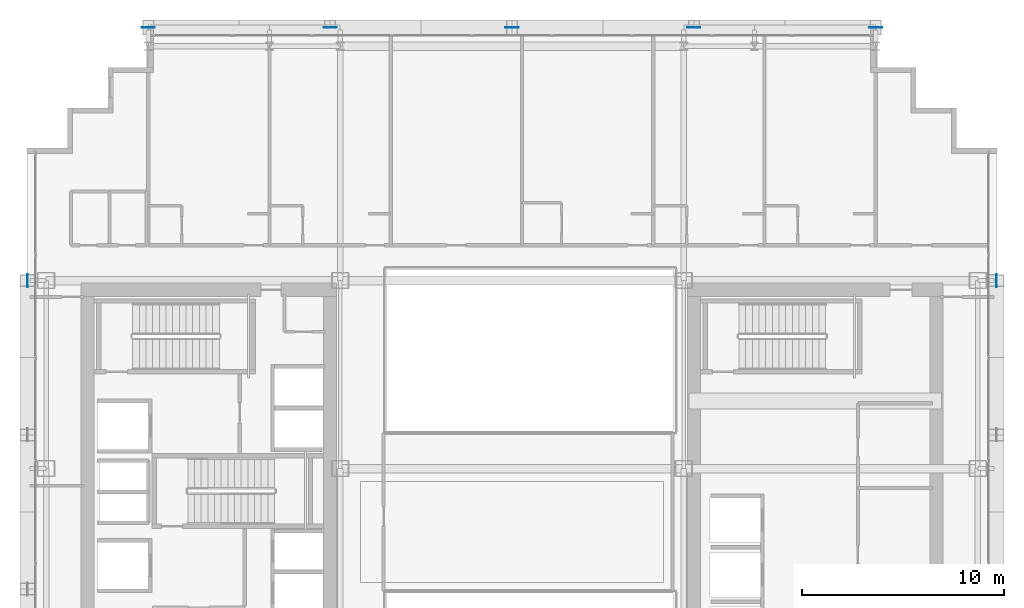
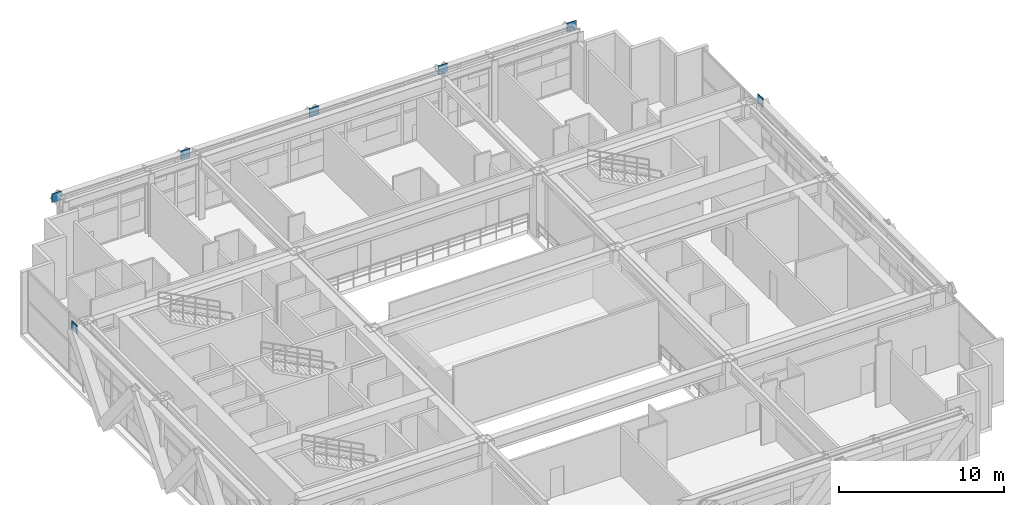
# One storey, part 29 of 38: 7 plates.
"""IFC4 building model written with IfcOpenShell, lengths in metres."""

from ifc_helpers import new_model, si_unit, direction, frame, origin, origin_2d, place, context, subcontext, project, spatial, rectangle, extrude, source, transform, mapped, material, layer, layer_set, type_object, element, save


model = new_model("IFC4")

# Units and contexts
model_context = context("Model", 3, precision=1e-05, world=origin(), true_north=direction((0.0, 1.0)))
body_context = subcontext(model_context, "Body", "Model", "MODEL_VIEW")
ifc_project = project(units=[si_unit("LENGTHUNIT", "METRE"), si_unit("AREAUNIT", "SQUARE_METRE"), si_unit("VOLUMEUNIT", "CUBIC_METRE"), si_unit("PLANEANGLEUNIT", "RADIAN"), si_unit("MASSUNIT", "GRAM", prefix="KILO")], contexts=[model_context])

# Site, building, storey
site_placement = place(None, origin())
site = spatial("IfcSite", under=ifc_project, at=site_placement, CompositionType="ELEMENT")
building_placement = place(site_placement, origin())
building = spatial("IfcBuilding", under=site, at=building_placement, Name="Ocotamira Hotel", CompositionType="ELEMENT")
storey_placement = place(building_placement, frame((0.0, 0.0, 92.39990234375)))
storey = spatial("IfcBuildingStorey", under=building, at=storey_placement, Name="L22", CompositionType="ELEMENT", Elevation=92.39990234375)

# Plates
ifc_material = material(Name="Pale-metal coated steel ASTM A572 Grade 50", Category="steel")
ifc_layer = layer(ifc_material, 0.0400390625)
ifc_layer_set = layer_set([ifc_layer], Name="Pale-metal coated steel ASTM A572 Grade 50")
plate_type = type_object("IfcPlateType", Name="PLT-GUSSET-40", PredefinedType="SHEET", material=ifc_layer_set)
shared_shape_1 = source(origin(), body_context, "Body", "SweptSolid", [
    extrude(rectangle(XDim=0.64990234375, YDim=0.0400390625, at=origin_2d()), origin(), (0.0, 0.0, 1.0), 0.64990234375),
])
for number, where, z_axis, x_axis, name in (
    (1, (14.0, 49.969970703125, 3.985107421875), (0.0, 0.0, 1.0), (-1.0, 0.0, 0.0), "L22 Exoskeleton Diagrid N0.1 End Gusset B"),
    (2, (23.0, 49.969970703125, 3.985107421875), (0.0, 0.0, 1.0), (1.0, 0.0, 0.0), "L22 Exoskeleton Diagrid N0.2 End Gusset B"),
    (3, (32.0, 49.969970703125, 3.985107421875), (0.0, 0.0, 1.0), (1.0, 0.0, 0.0), "L22 Exoskeleton Diagrid N1.2 End Gusset B"),
    (4, (41.0, 49.969970703125, 3.985107421875), (0.0, 0.0, 1.0), (1.0, 0.0, 0.0), "L22 Exoskeleton Diagrid N2.2 End Gusset B"),
    (5, (50.0, 49.969970703125, 3.985107421875), (0.0, 0.0, 1.0), (1.0, 0.0, 0.0), "L22 Exoskeleton Diagrid N3.2 End Gusset B"),
):
    element("IfcPlate", number, at=place(storey_placement, frame(where, z_axis=z_axis, x_axis=x_axis)), inside=storey, type_object=plate_type, Name=name, PredefinedType="SHEET", context=body_context, shape_type="MappedRepresentation", body=[
        mapped(shared_shape_1, transform((0.0, 0.0, 0.0), scale=1.0)),
    ])
shared_shape_2 = source(origin(), body_context, "Body", "SweptSolid", [
    extrude(rectangle(XDim=0.0400390625, YDim=0.64990234375, at=origin_2d()), origin(), (0.0, 0.0, 1.0), 0.64990234375),
])
for number, where, z_axis, x_axis, name in (
    (6, (8.030029296875, 37.449951171875, 3.985107421875), (0.0, 0.0, 1.0), (1.0, 0.0, 0.0), "L22 Exoskeleton Diagrid W2.2 End Gusset B"),
    (7, (55.969970703125, 37.449951171875, 3.985107421875), (0.0, 0.0, 1.0), (1.0, 0.0, 0.0), "L22 Exoskeleton Diagrid E2.2 End Gusset B"),
):
    element("IfcPlate", number, at=place(storey_placement, frame(where, z_axis=z_axis, x_axis=x_axis)), inside=storey, type_object=plate_type, Name=name, PredefinedType="SHEET", context=body_context, shape_type="MappedRepresentation", body=[
        mapped(shared_shape_2, transform((0.0, 0.0, 0.0), scale=1.0)),
    ])

save(model, "model.ifc")
